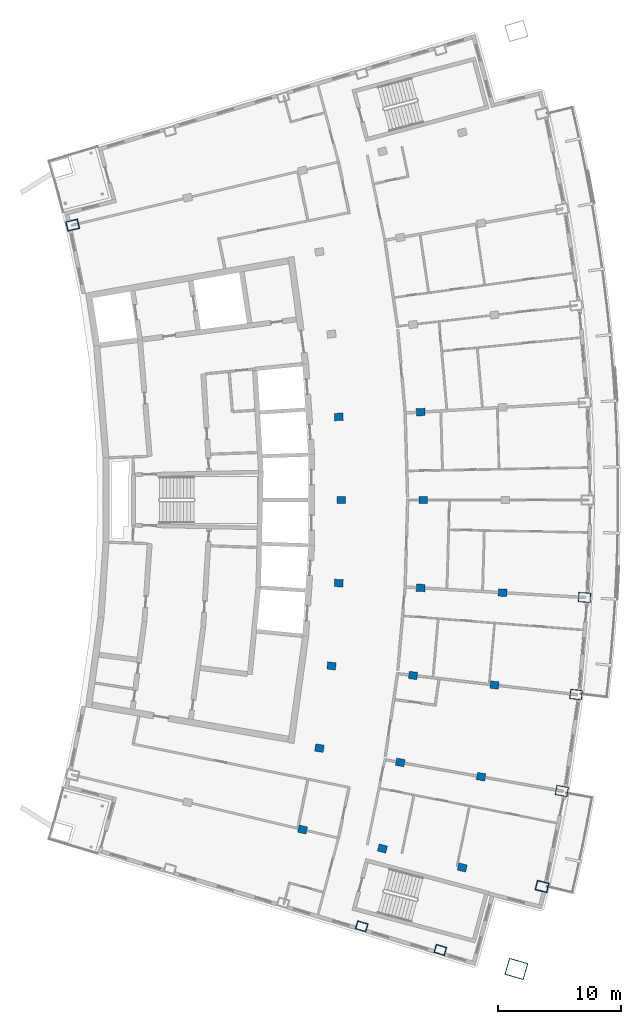
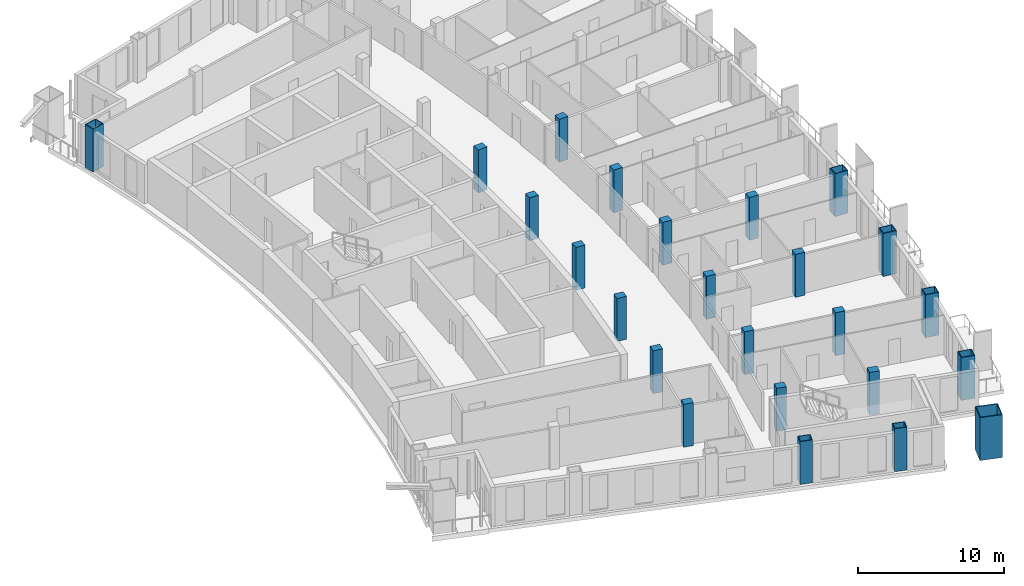
# One storey, part 2 of 16: 24 columns.
"""IFC4 building model written with IfcOpenShell, lengths in metres."""

from ifc_helpers import new_model, si_unit, direction, frame, origin, origin_2d, place, context, subcontext, project, spatial, rectangle, hollow_rectangle, extrude, material, material_profile, profile_set, type_object, element, save


model = new_model("IFC4")

# Units and contexts
model_context = context("Model", 3, precision=1e-05, world=origin(), true_north=direction((0.0, 1.0)))
body_context = subcontext(model_context, "Body", "Model", "MODEL_VIEW")
ifc_project = project(units=[si_unit("LENGTHUNIT", "METRE"), si_unit("AREAUNIT", "SQUARE_METRE"), si_unit("VOLUMEUNIT", "CUBIC_METRE"), si_unit("PLANEANGLEUNIT", "RADIAN"), si_unit("MASSUNIT", "GRAM", prefix="KILO")], contexts=[model_context])

# Site, building, storey
site_placement = place(None, origin())
site = spatial("IfcSite", under=ifc_project, at=site_placement, CompositionType="ELEMENT")
building_placement = place(site_placement, origin())
building = spatial("IfcBuilding", under=site, at=building_placement, Name="Alderwake Tower", CompositionType="ELEMENT")
storey_placement = place(building_placement, frame((0.0, 0.0, 281.60009765625)))
storey = spatial("IfcBuildingStorey", under=building, at=storey_placement, Name="L70", CompositionType="ELEMENT", Elevation=281.60009765625)

# Columns
ifc_material_1 = material(Name="Steel ASTM A572 Grade 50 concrete filled C70/85", Category="concrete")
ifc_material_profile_1 = material_profile(ifc_material_1, hollow_rectangle(XDim=0.699951171875, YDim=0.89990234375, WallThickness=0.050048828125, at=origin_2d()), Name="BOX 900X700X50")
ifc_profile_set_1 = profile_set([ifc_material_profile_1], Name="Steel ASTM A572 Grade 50 concrete filled C70/85")
column_type_1 = type_object("IfcColumnType", Name="End column Z5", PredefinedType="COLUMN", material=ifc_profile_set_1)
for number, where, z_axis, x_axis, name in (
    (1, (37.465576171875, 26.35986328125, 0.0), (0.0, 0.0, 1.0), (0.282853758087, 0.95916304742, 0.0), "Column R02-C3"),
    (2, (43.8505859375, 24.44287109375, 0.0), (0.0, 0.0, 1.0), (0.283096487049, 0.95909143413, 0.0), "Column R02-C4"),
):
    element("IfcColumn", number, at=place(storey_placement, frame(where, z_axis=z_axis, x_axis=x_axis)), inside=storey, type_object=column_type_1, Name=name, PredefinedType="COLUMN", context=body_context, shape_type="SweptSolid", body=[
        extrude(hollow_rectangle(XDim=0.699951171875, YDim=0.89990234375, WallThickness=0.050048828125, at=origin_2d()), origin(), (0.0, 0.0, 1.0), 3.599853515625),
    ])
ifc_material_2 = material(Name="Concrete C70/85", Category="concrete")
ifc_material_profile_2 = material_profile(ifc_material_2, rectangle(XDim=0.60009765625, YDim=0.699951171875, at=origin_2d()), Name="RC 700X600")
ifc_profile_set_2 = profile_set([ifc_material_profile_2], Name="Concrete C70/85")
column_type_2 = type_object("IfcColumnType", Name="Interior column Z5", PredefinedType="COLUMN", material=ifc_profile_set_2)
for number, where, z_axis, x_axis, name in (
    (3, (32.661865234375, 34.224609375, 0.0), (0.0, 0.0, 1.0), (0.231221547198, 0.972901123502, 0.0), "Column R03-C2"),
    (4, (39.14794921875, 32.68310546875, 0.0), (0.0, 0.0, 1.0), (0.231221547198, 0.972901123502, 0.0), "Column R03-C3"),
    (5, (45.6337890625, 31.1416015625, 0.0), (0.0, 0.0, 1.0), (0.231221547198, 0.972901123502, 0.0), "Column R03-C4"),
    (6, (34.03125, 40.83837890625, 0.0), (0.0, 0.0, 1.0), (0.174108800747, 0.984726421654, 0.0), "Column R04-C2"),
    (7, (40.59619140625, 39.677490234375, 0.0), (0.0, 0.0, 1.0), (0.174107082075, 0.984726725529, 0.0), "Column R04-C3"),
    (8, (47.160888671875, 38.516845703125, 0.0), (0.0, 0.0, 1.0), (0.174108800747, 0.984726421654, 0.0), "Column R04-C4"),
    (9, (35.0126953125, 47.5205078125, 0.0), (0.0, 0.0, 1.0), (0.116402054316, 0.993202175668, 0.0), "Column R05-C2"),
    (10, (41.63427734375, 46.74462890625, 0.0), (0.0, 0.0, 1.0), (0.116402054316, 0.993202175668, 0.0), "Column R05-C3"),
    (11, (48.255615234375, 45.968505859375, 0.0), (0.0, 0.0, 1.0), (0.116402054316, 0.993202175668, 0.0), "Column R05-C4"),
    (12, (35.60302734375, 54.248779296875, 0.0), (0.0, 0.0, 1.0), (0.058301061284, 0.998299046505, 0.0), "Column R06-C2"),
    (13, (42.25830078125, 53.860107421875, 0.0), (0.0, 0.0, 1.0), (0.058299318924, 0.998299148258, 0.0), "Column R06-C3"),
    (14, (48.913818359375, 53.471435546875, 0.0), (0.0, 0.0, 1.0), (0.058301061284, 0.998299046505, 0.0), "Column R06-C4"),
    (15, (35.800048828125, 61.0, 0.0), (0.0, 0.0, 1.0), (0.0, 1.0, 0.0), "Column R07-C2"),
    (16, (42.466796875, 61.0, 0.0), (0.0, 0.0, 1.0), (0.0, 1.0, 0.0), "Column R07-C3"),
    (17, (35.60302734375, 67.751220703125, 0.0), (0.0, 0.0, 1.0), (-0.058301061284, 0.998299046505, 0.0), "Column R08-C2"),
    (18, (42.25830078125, 68.139892578125, 0.0), (0.0, 0.0, 1.0), (-0.058299318924, 0.998299148258, 0.0), "Column R08-C3"),
):
    element("IfcColumn", number, at=place(storey_placement, frame(where, z_axis=z_axis, x_axis=x_axis)), inside=storey, type_object=column_type_2, Name=name, PredefinedType="COLUMN", context=body_context, shape_type="SweptSolid", body=[
        extrude(rectangle(XDim=0.60009765625, YDim=0.699951171875, at=origin_2d()), origin(), (0.0, 0.0, 1.0), 3.599853515625),
    ])
ifc_material_3 = material(Name="Steel ASTM A572 Grade 50 concrete filled C70/85", Category="concrete")
ifc_material_profile_3 = material_profile(ifc_material_3, hollow_rectangle(XDim=1.39990234375, YDim=1.60009765625, WallThickness=0.070068359375, at=origin_2d()), Name="BOX 1600X1400X70")
ifc_profile_set_3 = profile_set([ifc_material_profile_3], Name="Steel ASTM A572 Grade 50 concrete filled C70/85")
column_type_3 = type_object("IfcColumnType", Name="Mega column Z5", PredefinedType="COLUMN", material=ifc_profile_set_3)
column_placement = place(storey_placement, frame((50.03271484375, 22.898193359375, 0.0), z_axis=(0.0, 0.0, 1.0), x_axis=(0.281194346997, 0.959650842347, 0.0)))
element("IfcColumn", 19, at=column_placement, inside=storey, type_object=column_type_3, Name="Column R02-C5", PredefinedType="COLUMN", context=body_context, shape_type="SweptSolid", body=[
    extrude(hollow_rectangle(XDim=1.39990234375, YDim=1.60009765625, WallThickness=0.070068359375, at=origin_2d()), origin(), (0.0, 0.0, 1.0), 3.599853515625),
])
ifc_material_4 = material(Name="Steel ASTM A572 Grade 50 concrete filled C70/85", Category="concrete")
ifc_material_profile_4 = material_profile(ifc_material_4, hollow_rectangle(XDim=0.800048828125, YDim=1.0, WallThickness=0.054931640625, at=origin_2d()), Name="BOX 1000X800X55")
ifc_profile_set_4 = profile_set([ifc_material_profile_4], Name="Steel ASTM A572 Grade 50 concrete filled C70/85")
column_type_4 = type_object("IfcColumnType", Name="Perimeter column Z5", PredefinedType="COLUMN", material=ifc_profile_set_4)
for number, where, z_axis, x_axis, name in (
    (20, (52.1201171875, 29.60009765625, 0.0), (0.0, 0.0, 1.0), (0.231221547198, 0.972901123502, 0.0), "Column R03-C5"),
    (21, (53.725830078125, 37.356201171875, 0.0), (0.0, 0.0, 1.0), (0.174108800747, 0.984726421654, 0.0), "Column R04-C5"),
    (22, (54.876953125, 45.192626953125, 0.0), (0.0, 0.0, 1.0), (0.116402054316, 0.993202175668, 0.0), "Column R05-C5"),
    (23, (55.569091796875, 53.082763671875, 0.0), (0.0, 0.0, 1.0), (0.058301061284, 0.998299046505, 0.0), "Column R06-C5"),
    (24, (13.982177734375, 83.3359375, 0.0), (0.0, 0.0, 1.0), (-0.231221547198, 0.972901123502, 0.0), "Column R11-C0"),
):
    element("IfcColumn", number, at=place(storey_placement, frame(where, z_axis=z_axis, x_axis=x_axis)), inside=storey, type_object=column_type_4, Name=name, PredefinedType="COLUMN", context=body_context, shape_type="SweptSolid", body=[
        extrude(hollow_rectangle(XDim=0.800048828125, YDim=1.0, WallThickness=0.054931640625, at=origin_2d()), origin(), (0.0, 0.0, 1.0), 3.599853515625),
    ])

save(model, "model.ifc")
